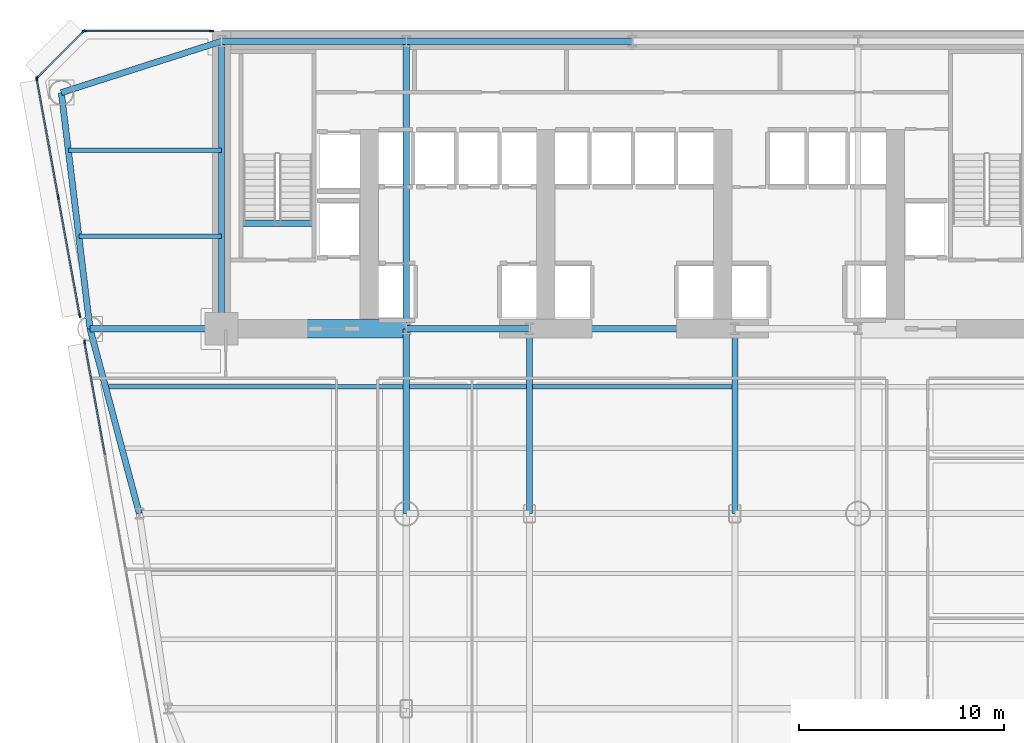
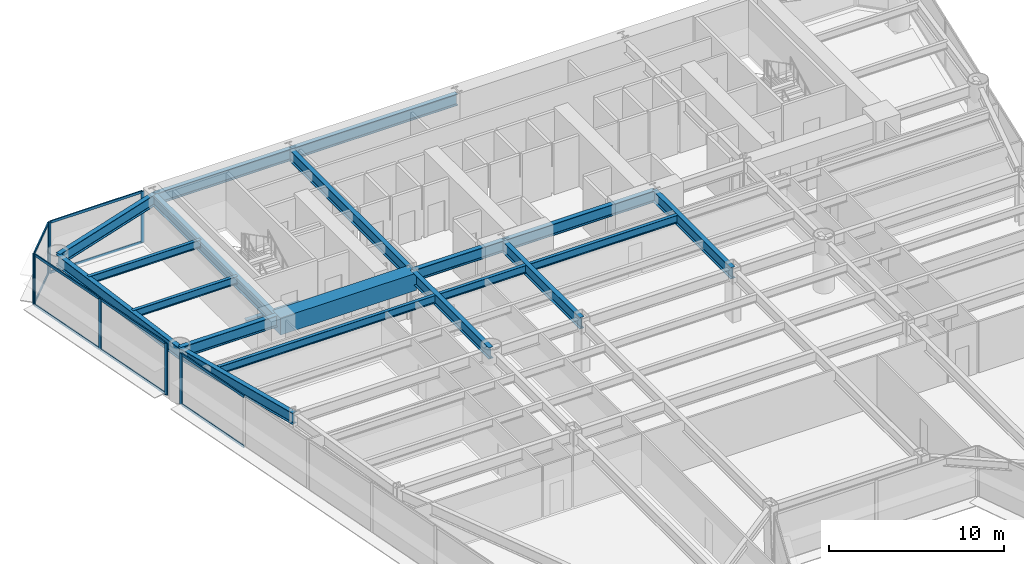
# One storey, part 5 of 14: 20 beams, 18 members, 4 elements without a shape of their own.
"""IFC4 building model written with IfcOpenShell, lengths in metres."""

from ifc_helpers import new_model, si_unit, direction, frame, origin, origin_2d, place, context, subcontext, project, spatial, rectangle, i_section, extrude, source, transform, mapped, material, layer, layer_set, material_profile, profile_set, type_object, element, aggregate, save


model = new_model("IFC4")

# Units and contexts
model_context = context("Model", 3, precision=1e-05, world=origin(), true_north=direction((0.0, 1.0)))
body_context = subcontext(model_context, "Body", "Model", "MODEL_VIEW")
ifc_project = project(units=[si_unit("LENGTHUNIT", "METRE"), si_unit("AREAUNIT", "SQUARE_METRE"), si_unit("VOLUMEUNIT", "CUBIC_METRE"), si_unit("PLANEANGLEUNIT", "RADIAN"), si_unit("MASSUNIT", "GRAM", prefix="KILO")], contexts=[model_context])

# Site, building, storey
site_placement = place(None, origin())
site = spatial("IfcSite", under=ifc_project, at=site_placement, CompositionType="ELEMENT")
building_placement = place(site_placement, origin())
building = spatial("IfcBuilding", under=site, at=building_placement, Name="Vaeldorn Concourse Tower", CompositionType="ELEMENT")
storey_placement = place(building_placement, frame((0.0, 0.0, 22.60009765625)))
storey = spatial("IfcBuildingStorey", under=building, at=storey_placement, Name="L05", CompositionType="ELEMENT", Elevation=22.60009765625)

# Beams
ifc_material_1 = material(Name="Concrete C60/75", Category="concrete")
ifc_material_profile_1 = material_profile(ifc_material_1, rectangle(XDim=0.89990234375, YDim=1.199951171875, at=origin_2d()), Name="RC 900x1200")
ifc_profile_set_1 = profile_set([ifc_material_profile_1], Name="Concrete C60/75")
beam_type_1 = type_object("IfcBeamType", Name="BM-CB-RC900", PredefinedType="BEAM", material=ifc_profile_set_1)
shared_shape_1 = source(origin(), body_context, "Body", "SweptSolid", [
    extrude(rectangle(XDim=0.89990234375, YDim=1.199951171875, at=origin_2d()), origin(), (0.0, 0.0, 1.0), 9.0),
])
beam_1_placement = place(storey_placement, frame((14.0, 36.5, 2.97998046875), z_axis=(1.0, 0.0, 0.0), x_axis=(0.0, 1.0, 0.0)))
element("IfcBeam", 1, at=beam_1_placement, inside=storey, type_object=beam_type_1, Name="Core Coupling Beam L05-1", PredefinedType="BEAM", context=body_context, shape_type="MappedRepresentation", body=[
    mapped(shared_shape_1, transform((0.0, 0.0, 0.0), scale=1.0)),
])
ifc_material_2 = material(Name="Steel S355", Category="steel")
ifc_material_profile_2 = material_profile(ifc_material_2, i_section(OverallWidth=0.300048828125, OverallDepth=0.340087890625, WebThickness=0.011962890625, FlangeThickness=0.021484375, FilletRadius=0.027099609375, at=origin_2d()), Name="HEB 340")
ifc_profile_set_2 = profile_set([ifc_material_profile_2], Name="Steel S355")
beam_type_2 = type_object("IfcBeamType", Name="BM-ST-TRIM", PredefinedType="BEAM", material=ifc_profile_set_2)
shared_shape_2 = source(origin(), body_context, "Body", "SweptSolid", [
    extrude(i_section(OverallWidth=0.300048828125, OverallDepth=0.340087890625, WebThickness=0.011962890625, FlangeThickness=0.021484375, FilletRadius=0.027099609375, at=origin_2d()), origin(), (0.0, 0.0, 1.0), 3.590087890625),
])
beam_2_placement = place(storey_placement, frame((14.929931640625, 41.639892578125, -0.39013671875), z_axis=(1.0, 0.0, 0.0), x_axis=(0.0, 1.0, 0.0)))
element("IfcBeam", 2, at=beam_2_placement, inside=storey, type_object=beam_type_2, Name="Stair Landing Trimmer Beam ST-1 L05", PredefinedType="BEAM", context=body_context, shape_type="MappedRepresentation", body=[
    mapped(shared_shape_2, transform((0.0, 0.0, 0.0), scale=1.0)),
])
ifc_material_profile_3 = material_profile(ifc_material_2, i_section(OverallWidth=0.300048828125, OverallDepth=0.800048828125, WebThickness=0.017578125, FlangeThickness=0.032958984375, FilletRadius=0.030029296875, at=origin_2d()), Name="HEB 800")
ifc_profile_set_3 = profile_set([ifc_material_profile_3], Name="Steel S355")
beam_type_3 = type_object("IfcBeamType", Name="BM-PG-HEB800", PredefinedType="BEAM", material=ifc_profile_set_3)
shared_shape_3 = source(origin(), body_context, "Body", "SweptSolid", [
    extrude(i_section(OverallWidth=0.300048828125, OverallDepth=0.800048828125, WebThickness=0.017578125, FlangeThickness=0.032958984375, FilletRadius=0.030029296875, at=origin_2d()), origin(), (0.0, 0.0, 1.0), 6.0),
])
beam_3_placement = place(storey_placement, frame((23.0, 36.5, 3.179931640625), z_axis=(1.0, 0.0, 0.0), x_axis=(0.0, 1.0, 0.0)))
element("IfcBeam", 3, at=beam_3_placement, inside=storey, type_object=beam_type_3, Name="Beam BM-L05-C-FC2-C-FC3", PredefinedType="BEAM", context=body_context, shape_type="MappedRepresentation", body=[
    mapped(shared_shape_3, transform((0.0, 0.0, 0.0), scale=1.0)),
])
shared_shape_4 = source(origin(), body_context, "Body", "SweptSolid", [
    extrude(i_section(OverallWidth=0.300048828125, OverallDepth=0.800048828125, WebThickness=0.017578125, FlangeThickness=0.032958984375, FilletRadius=0.030029296875, at=origin_2d()), origin(), (0.0, 0.0, 1.0), 10.0),
])
beam_4_placement = place(storey_placement, frame((29.0, 36.5, 3.179931640625), z_axis=(1.0, 0.0, 0.0), x_axis=(0.0, 1.0, 0.0)))
element("IfcBeam", 4, at=beam_4_placement, inside=storey, type_object=beam_type_3, Name="Beam BM-L05-C-FC3-C-FC4", PredefinedType="BEAM", context=body_context, shape_type="MappedRepresentation", body=[
    mapped(shared_shape_4, transform((0.0, 0.0, 0.0), scale=1.0)),
])
shared_shape_5 = source(origin(), body_context, "Body", "SweptSolid", [
    extrude(i_section(OverallWidth=0.300048828125, OverallDepth=0.800048828125, WebThickness=0.017578125, FlangeThickness=0.032958984375, FilletRadius=0.030029296875, at=origin_2d()), origin(), (0.0, 0.0, 1.0), 9.0),
])
for number, where, z_axis, x_axis, name in (
    (5, (14.0, 50.5, 3.179931640625), (1.0, 0.0, 0.0), (0.0, 1.0, 0.0), "Beam BM-L05-C-HC1-C-HC2"),
    (6, (23.0, 27.5, 3.179931640625), (0.0, 1.0, 0.0), (-1.0, 0.0, 0.0), "Beam BM-L05-C-TW1-C-FC2"),
    (7, (29.0, 27.5, 3.179931640625), (0.0, 1.0, 0.0), (-1.0, 0.0, 0.0), "Beam BM-L05-C-TW2-C-FC3"),
    (8, (39.0, 27.5, 3.179931640625), (0.0, 1.0, 0.0), (-1.0, 0.0, 0.0), "Beam BM-L05-C-TW3-C-FC4"),
):
    element("IfcBeam", number, at=place(storey_placement, frame(where, z_axis=z_axis, x_axis=x_axis)), inside=storey, type_object=beam_type_3, Name=name, PredefinedType="BEAM", context=body_context, shape_type="MappedRepresentation", body=[
        mapped(shared_shape_5, transform((0.0, 0.0, 0.0), scale=1.0)),
    ])
shared_shape_6 = source(origin(), body_context, "Body", "SweptSolid", [
    extrude(i_section(OverallWidth=0.300048828125, OverallDepth=0.800048828125, WebThickness=0.017578125, FlangeThickness=0.032958984375, FilletRadius=0.030029296875, at=origin_2d()), origin(), (0.0, 0.0, 1.0), 11.0),
])
beam_5_placement = place(storey_placement, frame((23.0, 50.5, 3.179931640625), z_axis=(1.0, 0.0, 0.0), x_axis=(0.0, 1.0, 0.0)))
element("IfcBeam", 9, at=beam_5_placement, inside=storey, type_object=beam_type_3, Name="Beam BM-L05-C-HC2-C-HC3", PredefinedType="BEAM", context=body_context, shape_type="MappedRepresentation", body=[
    mapped(shared_shape_6, transform((0.0, 0.0, 0.0), scale=1.0)),
])
shared_shape_7 = source(origin(), body_context, "Body", "SweptSolid", [
    extrude(i_section(OverallWidth=0.300048828125, OverallDepth=0.800048828125, WebThickness=0.017578125, FlangeThickness=0.032958984375, FilletRadius=0.030029296875, at=origin_2d()), origin(), (0.0, 0.0, 1.0), 14.0),
])
for number, where, z_axis, x_axis, name in (
    (10, (14.0, 36.5, 3.179931640625), (0.0, 1.0, 0.0), (-1.0, 0.0, 0.0), "Beam BM-L05-C-FC1-C-HC1"),
    (11, (23.0, 36.5, 3.179931640625), (0.0, 1.0, 0.0), (-1.0, 0.0, 0.0), "Beam BM-L05-C-FC2-C-HC2"),
):
    element("IfcBeam", number, at=place(storey_placement, frame(where, z_axis=z_axis, x_axis=x_axis)), inside=storey, type_object=beam_type_3, Name=name, PredefinedType="BEAM", context=body_context, shape_type="MappedRepresentation", body=[
        mapped(shared_shape_7, transform((0.0, 0.0, 0.0), scale=1.0)),
    ])
shared_shape_8 = source(origin(), body_context, "Body", "SweptSolid", [
    extrude(i_section(OverallWidth=0.300048828125, OverallDepth=0.800048828125, WebThickness=0.017578125, FlangeThickness=0.032958984375, FilletRadius=0.030029296875, at=origin_2d()), origin(), (0.0, 0.0, 1.0), 8.19091796875),
])
beam_6_placement = place(storey_placement, frame((6.199951171875, 48.0, 3.179931640625), z_axis=(0.952282843383, 0.305216949396, 0.0), x_axis=(-0.305216949396, 0.952282843383, 0.0)))
element("IfcBeam", 12, at=beam_6_placement, inside=storey, type_object=beam_type_3, Name="Beam BM-L05-C-NW1-C-HC1", PredefinedType="BEAM", context=body_context, shape_type="MappedRepresentation", body=[
    mapped(shared_shape_8, transform((0.0, 0.0, 0.0), scale=1.0)),
])
shared_shape_9 = source(origin(), body_context, "Body", "SweptSolid", [
    extrude(i_section(OverallWidth=0.300048828125, OverallDepth=0.800048828125, WebThickness=0.017578125, FlangeThickness=0.032958984375, FilletRadius=0.030029296875, at=origin_2d()), origin(), (0.0, 0.0, 1.0), 11.5849609375),
])
beam_7_placement = place(storey_placement, frame((6.199951171875, 48.0, 3.179931640625), z_axis=(0.120859382899, -0.992669637677, 0.0), x_axis=(0.992669637677, 0.120859382899, 0.0)))
element("IfcBeam", 13, at=beam_7_placement, inside=storey, type_object=beam_type_3, Name="Beam BM-L05-C-NW1-C-NW2", PredefinedType="BEAM", context=body_context, shape_type="MappedRepresentation", body=[
    mapped(shared_shape_9, transform((0.0, 0.0, 0.0), scale=1.0)),
])
shared_shape_10 = source(origin(), body_context, "Body", "SweptSolid", [
    extrude(i_section(OverallWidth=0.300048828125, OverallDepth=0.800048828125, WebThickness=0.017578125, FlangeThickness=0.032958984375, FilletRadius=0.030029296875, at=origin_2d()), origin(), (0.0, 0.0, 1.0), 6.39990234375),
])
beam_8_placement = place(storey_placement, frame((7.60009765625, 36.5, 3.179931640625), z_axis=(1.0, 0.0, 0.0), x_axis=(0.0, 1.0, 0.0)))
element("IfcBeam", 14, at=beam_8_placement, inside=storey, type_object=beam_type_3, Name="Beam BM-L05-C-NW2-C-FC1", PredefinedType="BEAM", context=body_context, shape_type="MappedRepresentation", body=[
    mapped(shared_shape_10, transform((0.0, 0.0, 0.0), scale=1.0)),
])
shared_shape_11 = source(origin(), body_context, "Body", "SweptSolid", [
    extrude(i_section(OverallWidth=0.300048828125, OverallDepth=0.800048828125, WebThickness=0.017578125, FlangeThickness=0.032958984375, FilletRadius=0.030029296875, at=origin_2d()), origin(), (0.0, 0.0, 1.0), 9.314453125),
])
beam_9_placement = place(storey_placement, frame((7.60009765625, 36.5, 3.179931640625), z_axis=(0.257652862255, -0.966237549763, 0.0), x_axis=(0.966237549763, 0.257652862255, 0.0)))
element("IfcBeam", 15, at=beam_9_placement, inside=storey, type_object=beam_type_3, Name="Beam BM-L05-C-NW2-C-FLW1", PredefinedType="BEAM", context=body_context, shape_type="MappedRepresentation", body=[
    mapped(shared_shape_11, transform((0.0, 0.0, 0.0), scale=1.0)),
])
ifc_material_profile_4 = material_profile(ifc_material_2, i_section(OverallWidth=0.2099609375, OverallDepth=0.550048828125, WebThickness=0.010986328125, FlangeThickness=0.01708984375, FilletRadius=0.02392578125, at=origin_2d()), Name="IPE 550")
ifc_profile_set_4 = profile_set([ifc_material_profile_4], Name="Steel S355")
beam_type_4 = type_object("IfcBeamType", Name="BM-JS-IPE550", PredefinedType="JOIST", material=ifc_profile_set_4)
shared_shape_12 = source(origin(), body_context, "Body", "SweptSolid", [
    extrude(i_section(OverallWidth=0.2099609375, OverallDepth=0.550048828125, WebThickness=0.010986328125, FlangeThickness=0.01708984375, FilletRadius=0.02392578125, at=origin_2d()), origin(), (0.0, 0.0, 1.0), 5.7001953125),
])
beam_10_placement = place(storey_placement, frame((23.14990234375, 33.679931640625, 3.304931640625), z_axis=(1.0, 0.0, 0.0), x_axis=(0.0, 1.0, 0.0)))
element("IfcBeam", 16, at=beam_10_placement, inside=storey, type_object=beam_type_4, Name="Beam JS-L05-W2-336", PredefinedType="JOIST", context=body_context, shape_type="MappedRepresentation", body=[
    mapped(shared_shape_12, transform((0.0, 0.0, 0.0), scale=1.0)),
])
shared_shape_13 = source(origin(), body_context, "Body", "SweptSolid", [
    extrude(i_section(OverallWidth=0.2099609375, OverallDepth=0.550048828125, WebThickness=0.010986328125, FlangeThickness=0.01708984375, FilletRadius=0.02392578125, at=origin_2d()), origin(), (0.0, 0.0, 1.0), 9.7001953125),
])
beam_11_placement = place(storey_placement, frame((29.14990234375, 33.679931640625, 3.304931640625), z_axis=(1.0, 0.0, 0.0), x_axis=(0.0, 1.0, 0.0)))
element("IfcBeam", 17, at=beam_11_placement, inside=storey, type_object=beam_type_4, Name="Beam JS-L05-C-336", PredefinedType="JOIST", context=body_context, shape_type="MappedRepresentation", body=[
    mapped(shared_shape_13, transform((0.0, 0.0, 0.0), scale=1.0)),
])
shared_shape_14 = source(origin(), body_context, "Body", "SweptSolid", [
    extrude(i_section(OverallWidth=0.2099609375, OverallDepth=0.550048828125, WebThickness=0.010986328125, FlangeThickness=0.01708984375, FilletRadius=0.02392578125, at=origin_2d()), origin(), (0.0, 0.0, 1.0), 6.94775390625),
])
beam_12_placement = place(storey_placement, frame((7.05224609375, 41.0, 3.304931640625), z_axis=(1.0, 0.0, 0.0), x_axis=(0.0, 1.0, 0.0)))
element("IfcBeam", 18, at=beam_12_placement, inside=storey, type_object=beam_type_4, Name="Beam JS-L05-NW-410", PredefinedType="JOIST", context=body_context, shape_type="MappedRepresentation", body=[
    mapped(shared_shape_14, transform((0.0, 0.0, 0.0), scale=1.0)),
])
shared_shape_15 = source(origin(), body_context, "Body", "SweptSolid", [
    extrude(i_section(OverallWidth=0.2099609375, OverallDepth=0.550048828125, WebThickness=0.010986328125, FlangeThickness=0.01708984375, FilletRadius=0.02392578125, at=origin_2d()), origin(), (0.0, 0.0, 1.0), 7.458984375),
])
beam_13_placement = place(storey_placement, frame((6.541015625, 45.199951171875, 3.304931640625), z_axis=(1.0, 0.0, 0.0), x_axis=(0.0, 1.0, 0.0)))
element("IfcBeam", 19, at=beam_13_placement, inside=storey, type_object=beam_type_4, Name="Beam JS-L05-NW-452", PredefinedType="JOIST", context=body_context, shape_type="MappedRepresentation", body=[
    mapped(shared_shape_15, transform((0.0, 0.0, 0.0), scale=1.0)),
])
shared_shape_16 = source(origin(), body_context, "Body", "SweptSolid", [
    extrude(i_section(OverallWidth=0.2099609375, OverallDepth=0.550048828125, WebThickness=0.010986328125, FlangeThickness=0.01708984375, FilletRadius=0.02392578125, at=origin_2d()), origin(), (0.0, 0.0, 1.0), 14.34814453125),
])
beam_14_placement = place(storey_placement, frame((8.501953125, 33.679931640625, 3.304931640625), z_axis=(1.0, 0.0, 0.0), x_axis=(0.0, 1.0, 0.0)))
element("IfcBeam", 20, at=beam_14_placement, inside=storey, type_object=beam_type_4, Name="Beam JS-L05-W1-336", PredefinedType="JOIST", context=body_context, shape_type="MappedRepresentation", body=[
    mapped(shared_shape_16, transform((0.0, 0.0, 0.0), scale=1.0)),
])

# Curtain wall, members
ifc_material_3 = material(Name="Anodised Bronze Aluminium", Category="aluminium")
ifc_layer = layer(ifc_material_3, 0.219970703125)
ifc_layer_set = layer_set([ifc_layer], Name="Anodised Bronze Aluminium")
curtain_wall_type = type_object("IfcCurtainWallType", Name="CW-SYS-01", PredefinedType="NOTDEFINED", material=ifc_layer_set)
curtain_wall_1_placement = place(storey_placement, origin())
curtain_wall_1 = element("IfcCurtainWall", 21, at=curtain_wall_1_placement, inside=storey, type_object=curtain_wall_type, Name="Unitised Curtain Wall CW-L05-E09-2", PredefinedType="NOTDEFINED")
ifc_material_profile_5 = material_profile(ifc_material_3, rectangle(XDim=0.074951171875, YDim=0.219970703125, at=origin_2d()), Name="CWM 75x220")
ifc_profile_set_5 = profile_set([ifc_material_profile_5], Name="Anodised Bronze Aluminium")
member_type_1 = type_object("IfcMemberType", Name="CWM-BRONZE-220", PredefinedType="MULLION", material=ifc_profile_set_5)
shared_shape_17 = source(origin(), body_context, "Body", "SweptSolid", [
    extrude(rectangle(XDim=0.074951171875, YDim=0.219970703125, at=origin_2d()), origin(), (0.0, 0.0, 1.0), 3.579833984375),
])
member_1_placement = place(storey_placement, frame((13.517578125, 51.0, 0.0), z_axis=(0.0, 0.0, 1.0), x_axis=(0.0, -1.0, 0.0)))
member_1 = element("IfcMember", 22, at=member_1_placement, type_object=member_type_1, Name="CW-01 mullion 1", PredefinedType="MULLION", context=body_context, shape_type="MappedRepresentation", body=[
    mapped(shared_shape_17, transform((0.0, 0.0, 0.0), scale=1.0)),
])
member_2_placement = place(storey_placement, frame((7.33740234375, 51.0, 0.0), z_axis=(0.0, 0.0, 1.0), x_axis=(0.0, -1.0, 0.0)))
member_2 = element("IfcMember", 23, at=member_2_placement, type_object=member_type_1, Name="CW-01 mullion 2", PredefinedType="MULLION", context=body_context, shape_type="MappedRepresentation", body=[
    mapped(shared_shape_17, transform((0.0, 0.0, 0.0), scale=1.0)),
])

curtain_wall_2_placement = place(storey_placement, origin())
curtain_wall_2 = element("IfcCurtainWall", 24, at=curtain_wall_2_placement, inside=storey, type_object=curtain_wall_type, Name="Unitised Curtain Wall CW-L05-E10-1", PredefinedType="NOTDEFINED")
member_3_placement = place(storey_placement, frame((7.2734375, 50.973388671875, 0.0), z_axis=(0.0, 0.0, 1.0), x_axis=(0.707106781187, -0.707106781187, 0.0)))
member_3 = element("IfcMember", 25, at=member_3_placement, type_object=member_type_1, Name="CW-01 mullion 1", PredefinedType="MULLION", context=body_context, shape_type="MappedRepresentation", body=[
    mapped(shared_shape_17, transform((0.0, 0.0, 0.0), scale=1.0)),
])
member_4_placement = place(storey_placement, frame((5.026611328125, 48.7265625, 0.0), z_axis=(0.0, 0.0, 1.0), x_axis=(0.707106781187, -0.707106781187, 0.0)))
member_4 = element("IfcMember", 26, at=member_4_placement, type_object=member_type_1, Name="CW-01 mullion 2", PredefinedType="MULLION", context=body_context, shape_type="MappedRepresentation", body=[
    mapped(shared_shape_17, transform((0.0, 0.0, 0.0), scale=1.0)),
])

curtain_wall_3_placement = place(storey_placement, origin())
curtain_wall_3 = element("IfcCurtainWall", 27, at=curtain_wall_3_placement, inside=storey, type_object=curtain_wall_type, Name="Unitised Curtain Wall CW-L05-E11-1", PredefinedType="NOTDEFINED")
member_5_placement = place(storey_placement, frame((5.006591796875, 48.6630859375, 0.0), z_axis=(0.0, 0.0, 1.0), x_axis=(0.983934826263, 0.178528030477, 0.0)))
member_5 = element("IfcMember", 28, at=member_5_placement, type_object=member_type_1, Name="CW-01 mullion 1", PredefinedType="MULLION", context=body_context, shape_type="MappedRepresentation", body=[
    mapped(shared_shape_17, transform((0.0, 0.0, 0.0), scale=1.0)),
])
member_6_placement = place(storey_placement, frame((6.050537109375, 42.90966796875, 0.0), z_axis=(0.0, 0.0, 1.0), x_axis=(0.983934826263, 0.178528030477, 0.0)))
member_6 = element("IfcMember", 29, at=member_6_placement, type_object=member_type_1, Name="CW-01 mullion 2", PredefinedType="MULLION", context=body_context, shape_type="MappedRepresentation", body=[
    mapped(shared_shape_17, transform((0.0, 0.0, 0.0), scale=1.0)),
])
member_7_placement = place(storey_placement, frame((7.094482421875, 37.156494140625, 0.0), z_axis=(0.0, 0.0, 1.0), x_axis=(0.983934826263, 0.178528030477, 0.0)))
member_7 = element("IfcMember", 30, at=member_7_placement, type_object=member_type_1, Name="CW-01 mullion 3", PredefinedType="MULLION", context=body_context, shape_type="MappedRepresentation", body=[
    mapped(shared_shape_17, transform((0.0, 0.0, 0.0), scale=1.0)),
])

# Curtain wall, member
curtain_wall_4_placement = place(storey_placement, origin())
curtain_wall_4 = element("IfcCurtainWall", 31, at=curtain_wall_4_placement, inside=storey, type_object=curtain_wall_type, Name="Unitised Curtain Wall CW-L05-E11-2", PredefinedType="NOTDEFINED")
member_8_placement = place(storey_placement, frame((7.332763671875, 35.843505859375, 0.0), z_axis=(0.0, 0.0, 1.0), x_axis=(0.983935146293, 0.178526266665, 0.0)))
member_8 = element("IfcMember", 32, at=member_8_placement, type_object=member_type_1, Name="CW-01 mullion 1", PredefinedType="MULLION", context=body_context, shape_type="MappedRepresentation", body=[
    mapped(shared_shape_17, transform((0.0, 0.0, 0.0), scale=1.0)),
])

# Member
ifc_material_profile_6 = material_profile(ifc_material_3, rectangle(XDim=0.074951171875, YDim=0.179931640625, at=origin_2d()), Name="CWT 75x180")
ifc_profile_set_6 = profile_set([ifc_material_profile_6], Name="Anodised Bronze Aluminium")
member_type_2 = type_object("IfcMemberType", Name="CWT-BRONZE-180", PredefinedType="USERDEFINED", material=ifc_profile_set_6)
shared_shape_18 = source(origin(), body_context, "Body", "SweptSolid", [
    extrude(rectangle(XDim=0.074951171875, YDim=0.179931640625, at=origin_2d()), origin(), (0.0, 0.0, 1.0), 5.772216796875),
])
member_9_placement = place(storey_placement, frame((6.057373046875, 42.872802734375, 0.037353515625), z_axis=(0.178531831265, -0.98393413663, 0.0), x_axis=(0.98393413663, 0.178531831265, 0.0)))
member_9 = element("IfcMember", 33, at=member_9_placement, type_object=member_type_2, Name="CW-01 transom 2.1", ObjectType="TRANSOM", PredefinedType="USERDEFINED", context=body_context, shape_type="MappedRepresentation", body=[
    mapped(shared_shape_18, transform((0.0, 0.0, 0.0), scale=1.0)),
])

member_10_placement = place(storey_placement, frame((6.057373046875, 42.872802734375, 3.54248046875), z_axis=(0.178531831265, -0.98393413663, 0.0), x_axis=(0.98393413663, 0.178531831265, 0.0)))
member_10 = element("IfcMember", 34, at=member_10_placement, type_object=member_type_2, Name="CW-01 transom 2.2", ObjectType="TRANSOM", PredefinedType="USERDEFINED", context=body_context, shape_type="MappedRepresentation", body=[
    mapped(shared_shape_18, transform((0.0, 0.0, 0.0), scale=1.0)),
])

shared_shape_19 = source(origin(), body_context, "Body", "SweptSolid", [
    extrude(rectangle(XDim=0.074951171875, YDim=0.179931640625, at=origin_2d()), origin(), (0.0, 0.0, 1.0), 3.10302734375),
])
member_11_placement = place(storey_placement, frame((7.2470703125, 50.947021484375, 0.037353515625), z_axis=(-0.707106781187, -0.707106781187, 0.0), x_axis=(0.707106781187, -0.707106781187, 0.0)))
member_11 = element("IfcMember", 35, at=member_11_placement, type_object=member_type_2, Name="CW-01 transom 1.1", ObjectType="TRANSOM", PredefinedType="USERDEFINED", context=body_context, shape_type="MappedRepresentation", body=[
    mapped(shared_shape_19, transform((0.0, 0.0, 0.0), scale=1.0)),
])

member_12_placement = place(storey_placement, frame((7.2470703125, 50.947021484375, 3.54248046875), z_axis=(-0.707106781187, -0.707106781187, 0.0), x_axis=(0.707106781187, -0.707106781187, 0.0)))
member_12 = element("IfcMember", 36, at=member_12_placement, type_object=member_type_2, Name="CW-01 transom 1.2", ObjectType="TRANSOM", PredefinedType="USERDEFINED", context=body_context, shape_type="MappedRepresentation", body=[
    mapped(shared_shape_19, transform((0.0, 0.0, 0.0), scale=1.0)),
])

aggregate(curtain_wall_2, [member_3, member_4, member_11, member_12])

shared_shape_20 = source(origin(), body_context, "Body", "SweptSolid", [
    extrude(rectangle(XDim=0.074951171875, YDim=0.179931640625, at=origin_2d()), origin(), (0.0, 0.0, 1.0), 6.10498046875),
])
member_13_placement = place(storey_placement, frame((13.47998046875, 51.0, 0.037353515625), z_axis=(-1.0, 0.0, 0.0), x_axis=(0.0, -1.0, 0.0)))
member_13 = element("IfcMember", 37, at=member_13_placement, type_object=member_type_2, Name="CW-01 transom 1.1", ObjectType="TRANSOM", PredefinedType="USERDEFINED", context=body_context, shape_type="MappedRepresentation", body=[
    mapped(shared_shape_20, transform((0.0, 0.0, 0.0), scale=1.0)),
])

member_14_placement = place(storey_placement, frame((13.47998046875, 51.0, 3.54248046875), z_axis=(-1.0, 0.0, 0.0), x_axis=(0.0, -1.0, 0.0)))
member_14 = element("IfcMember", 38, at=member_14_placement, type_object=member_type_2, Name="CW-01 transom 1.2", ObjectType="TRANSOM", PredefinedType="USERDEFINED", context=body_context, shape_type="MappedRepresentation", body=[
    mapped(shared_shape_20, transform((0.0, 0.0, 0.0), scale=1.0)),
])

aggregate(curtain_wall_1, [member_1, member_2, member_13, member_14])

shared_shape_21 = source(origin(), body_context, "Body", "SweptSolid", [
    extrude(rectangle(XDim=0.074951171875, YDim=0.179931640625, at=origin_2d()), origin(), (0.0, 0.0, 1.0), 5.534912109375),
])
member_15_placement = place(storey_placement, frame((7.33935546875, 35.806640625, 0.037353515625), z_axis=(0.178551614017, -0.983930546905, 0.0), x_axis=(0.983930546905, 0.178551614017, 0.0)))
member_15 = element("IfcMember", 39, at=member_15_placement, type_object=member_type_2, Name="CW-01 transom 1.1", ObjectType="TRANSOM", PredefinedType="USERDEFINED", context=body_context, shape_type="MappedRepresentation", body=[
    mapped(shared_shape_21, transform((0.0, 0.0, 0.0), scale=1.0)),
])

member_16_placement = place(storey_placement, frame((7.33935546875, 35.806640625, 3.54248046875), z_axis=(0.178551614017, -0.983930546905, 0.0), x_axis=(0.983930546905, 0.178551614017, 0.0)))
member_16 = element("IfcMember", 40, at=member_16_placement, type_object=member_type_2, Name="CW-01 transom 1.2", ObjectType="TRANSOM", PredefinedType="USERDEFINED", context=body_context, shape_type="MappedRepresentation", body=[
    mapped(shared_shape_21, transform((0.0, 0.0, 0.0), scale=1.0)),
])

aggregate(curtain_wall_4, [member_8, member_15, member_16])

shared_shape_22 = source(origin(), body_context, "Body", "SweptSolid", [
    extrude(rectangle(XDim=0.074951171875, YDim=0.179931640625, at=origin_2d()), origin(), (0.0, 0.0, 1.0), 5.7724609375),
])
member_17_placement = place(storey_placement, frame((5.013427734375, 48.626220703125, 0.037353515625), z_axis=(0.178524401686, -0.983935484675, 0.0), x_axis=(0.983935484675, 0.178524401686, 0.0)))
member_17 = element("IfcMember", 41, at=member_17_placement, type_object=member_type_2, Name="CW-01 transom 1.1", ObjectType="TRANSOM", PredefinedType="USERDEFINED", context=body_context, shape_type="MappedRepresentation", body=[
    mapped(shared_shape_22, transform((0.0, 0.0, 0.0), scale=1.0)),
])

member_18_placement = place(storey_placement, frame((5.013427734375, 48.626220703125, 3.54248046875), z_axis=(0.178524401686, -0.983935484675, 0.0), x_axis=(0.983935484675, 0.178524401686, 0.0)))
member_18 = element("IfcMember", 42, at=member_18_placement, type_object=member_type_2, Name="CW-01 transom 1.2", ObjectType="TRANSOM", PredefinedType="USERDEFINED", context=body_context, shape_type="MappedRepresentation", body=[
    mapped(shared_shape_22, transform((0.0, 0.0, 0.0), scale=1.0)),
])

aggregate(curtain_wall_3, [member_5, member_6, member_7, member_17, member_18, member_9, member_10])

save(model, "model.ifc")
